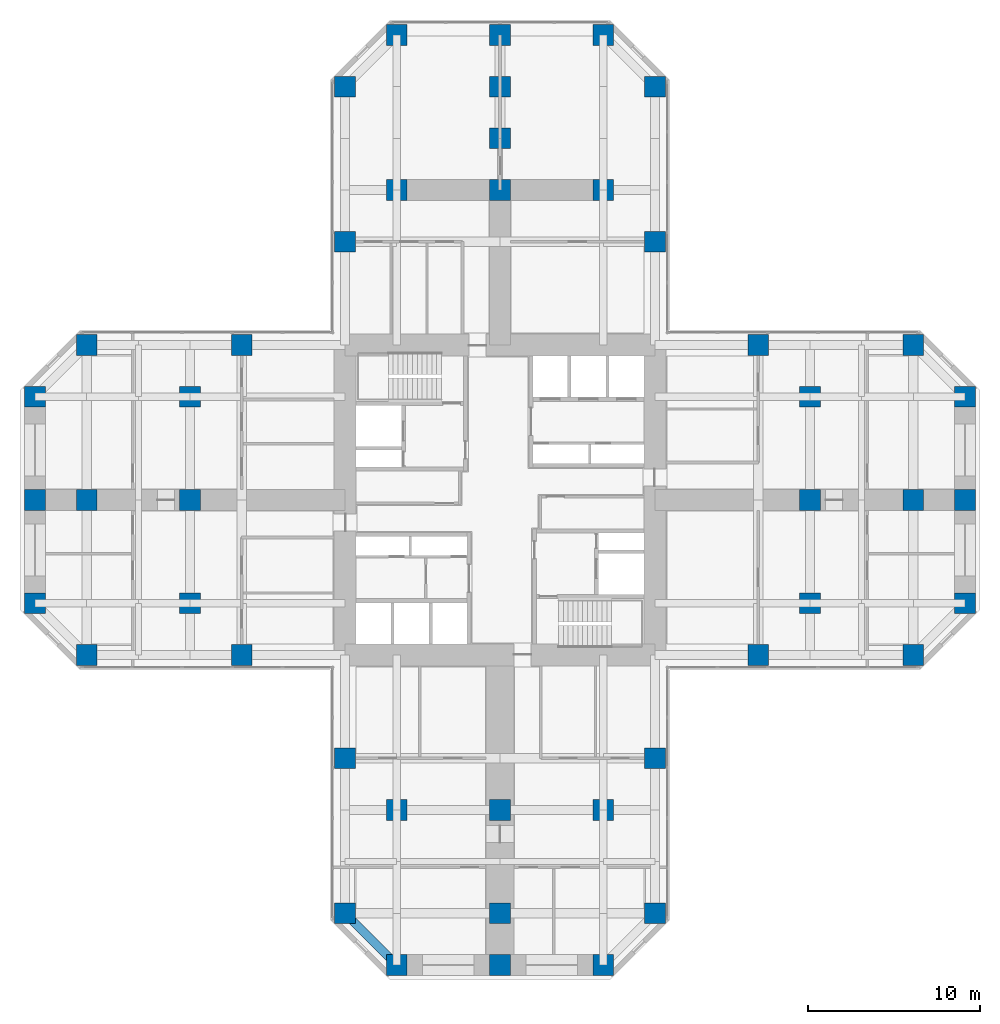
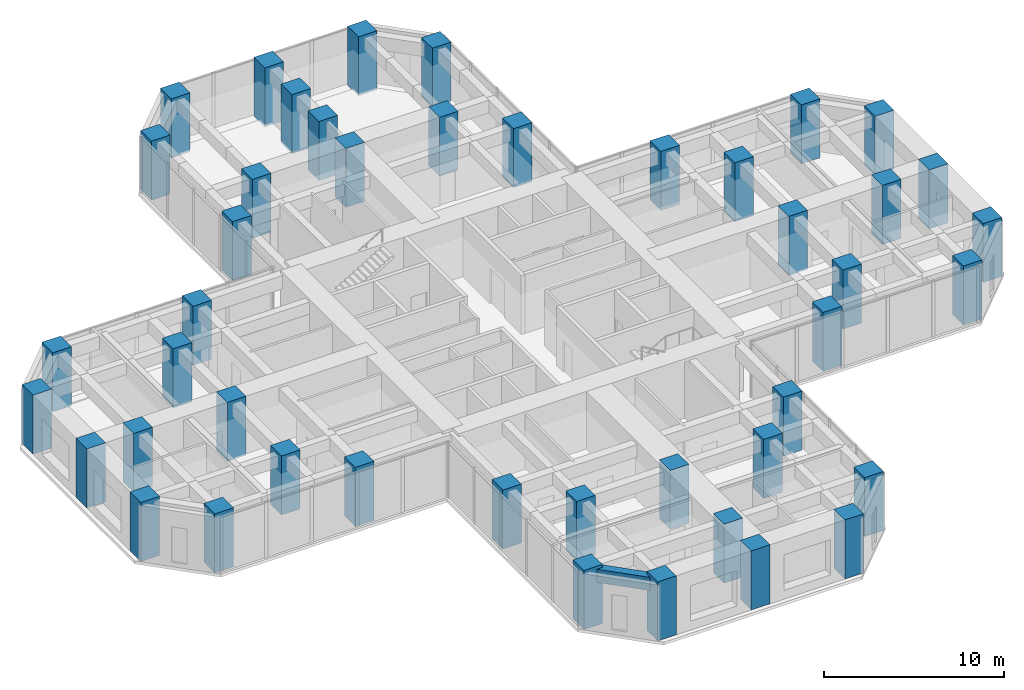
# One storey, part 1 of 13: 45 columns, 1 beam.
"""IFC4 building model written with IfcOpenShell, lengths in metres."""

import ifcopenshell
import ifcopenshell.guid

model = None  # the IFC model being written
_history = None  # IfcOwnerHistory: only IFC2X3 demands one
_inside = {}  # id of a spatial element -> (the spatial element, [elements in it])
_under = {}  # id of a project, library or spatial element -> (it, [spatial elements below it])
_declared = {}  # id of a project -> (the project, [libraries it declares])
_typed = {}  # id of a type object -> (the type object, [elements of that type])
_made_of = {}  # id of a material, layer set ... -> (it, [elements and type objects made of it])


def new_model(schema):
    """Start an empty IFC model of exactly this schema.

    Asked for "IFC4X3", IfcOpenShell would pick the latest addendum, in which some entities
    have other attributes; the version numbers below select the first issue.
    IFC2X3 requires an IfcOwnerHistory on every rooted entity: one is made here for all.
    """
    global model, _history
    if schema == "IFC4X3":
        model = ifcopenshell.file(schema_version=(4, 3, 0, 0))
    else:
        model = ifcopenshell.file(schema=schema)
    _inside.clear()
    _under.clear()
    _declared.clear()
    _typed.clear()
    _made_of.clear()
    _history = None
    if model.schema == "IFC2X3":
        org = make("IfcOrganization", Name="unknown")
        user = make(
            "IfcPersonAndOrganization",
            ThePerson=make("IfcPerson", FamilyName="unknown"),
            TheOrganization=org,
        )
        app = make(
            "IfcApplication",
            ApplicationDeveloper=org,
            Version="unknown",
            ApplicationFullName="unknown",
            ApplicationIdentifier="unknown",
        )
        _history = make(
            "IfcOwnerHistory",
            OwningUser=user,
            OwningApplication=app,
            ChangeAction="ADDED",
            CreationDate=0,
        )
    return model


def make(cls, **values):
    """One entity of the class cls with the attributes given. An attribute that is None is left unset."""
    return model.create_entity(
        cls, **{name: value for name, value in values.items() if value is not None}
    )


def rooted(cls, **values):
    """An entity with a GlobalId (a new one), such as an element, a storey or a relation."""
    return make(cls, GlobalId=ifcopenshell.guid.new(), OwnerHistory=_history, **values)


def si_unit(unit_type, name, prefix=None):
    """IfcSIUnit, for example si_unit("LENGTHUNIT", "METRE", prefix="MILLI")."""
    return make("IfcSIUnit", UnitType=unit_type, Prefix=prefix, Name=name)


def assignment(units):
    """IfcUnitAssignment: the units of a project."""
    return None if units is None else make("IfcUnitAssignment", Units=units)


def point(xyz):
    """IfcCartesianPoint."""
    return None if xyz is None else make("IfcCartesianPoint", Coordinates=xyz)


def direction(xyz):
    """IfcDirection."""
    return None if xyz is None else make("IfcDirection", DirectionRatios=xyz)


def frame(location, z_axis=None, x_axis=None):
    """IfcAxis2Placement3D, a coordinate frame: its origin and axes. An axis left out is left unset."""
    return make(
        "IfcAxis2Placement3D",
        Location=point(location),
        Axis=direction(z_axis),
        RefDirection=direction(x_axis),
    )


def frame_2d(location, x_axis=None):
    """IfcAxis2Placement2D, a coordinate frame in the plane: its origin and x axis."""
    return make(
        "IfcAxis2Placement2D", Location=point(location), RefDirection=direction(x_axis)
    )


def origin():
    """The frame at (0, 0, 0) with its axes left unset."""
    return frame((0.0, 0.0, 0.0))


def origin_2d():
    """The frame at (0, 0) in the plane with its x axis left unset."""
    return frame_2d((0.0, 0.0))


def place(relative_to, where):
    """IfcLocalPlacement: puts the frame where relative to a parent placement (None: the world)."""
    return make(
        "IfcLocalPlacement", PlacementRelTo=relative_to, RelativePlacement=where
    )


def context(
    kind, dimensions, precision=None, world=None, true_north=None, identifier=None
):
    """IfcGeometricRepresentationContext, for example the 3D "Model" context."""
    return make(
        "IfcGeometricRepresentationContext",
        ContextIdentifier=identifier,
        ContextType=kind,
        CoordinateSpaceDimension=dimensions,
        Precision=precision,
        WorldCoordinateSystem=world,
        TrueNorth=true_north,
    )


def subcontext(parent, identifier, kind, view, scale=None):
    """IfcGeometricRepresentationSubContext, for example "Body" below "Model"."""
    return make(
        "IfcGeometricRepresentationSubContext",
        ContextIdentifier=identifier,
        ContextType=kind,
        ParentContext=parent,
        TargetScale=scale,
        TargetView=view,
    )


def project(units=None, contexts=None):
    """IfcProject with its units and contexts."""
    return rooted(
        "IfcProject",
        Name="project",
        RepresentationContexts=contexts,
        UnitsInContext=assignment(units),
    )


def spatial(cls, under=None, at=None, **own):
    """A site, building, storey or space (cls), placed at a placement, below another one or the project."""
    s = rooted(cls, ObjectPlacement=at, **own)
    if under is not None:
        _under.setdefault(under.id(), (under, []))[1].append(s)
    return s


def profile(cls, at=None, kind="AREA", **sizes):
    """A parametric profile (cls). Its sizes go by their IFC names, for example OverallWidth=200.0."""
    return make(cls, ProfileType=kind, Position=at, **sizes)


def rectangle(**sizes):
    """IfcRectangleProfileDef."""
    return profile("IfcRectangleProfileDef", **sizes)


def extrude(swept, where, along, depth):
    """IfcExtrudedAreaSolid: the profile swept, set in the frame where, extruded along a direction by depth."""
    return make(
        "IfcExtrudedAreaSolid",
        SweptArea=swept,
        Position=where,
        ExtrudedDirection=direction(along),
        Depth=depth,
    )


def shape(context_of_items, identifier, shape_type, items):
    """IfcShapeRepresentation: the items that make up one representation, for example the "Body"."""
    return make(
        "IfcShapeRepresentation",
        ContextOfItems=context_of_items,
        RepresentationIdentifier=identifier,
        RepresentationType=shape_type,
        Items=items,
    )


def material(Name=None, Category=None):
    """IfcMaterial."""
    return make("IfcMaterial", Name=Name, Category=Category)


def material_profile(
    of_material, cross_section, Name=None, Category=None, Priority=None
):
    """IfcMaterialProfile: a cross section and its material."""
    return make(
        "IfcMaterialProfile",
        Name=Name,
        Material=of_material,
        Profile=cross_section,
        Priority=Priority,
        Category=Category,
    )


def profile_set(profiles, Name=None, composite=None):
    """IfcMaterialProfileSet."""
    return make(
        "IfcMaterialProfileSet",
        Name=Name,
        MaterialProfiles=profiles,
        CompositeProfile=composite,
    )


def made_of(thing, what):
    """Note that an element or type object is made of a material, layer set ...; save() writes the relation."""
    if what is not None:
        _made_of.setdefault(what.id(), (what, []))[1].append(thing)
    return thing


def type_object(cls, material=None, **own):
    """A type object (cls), such as IfcWallType, which elements share."""
    return made_of(rooted(cls, **own), material)


def element(
    cls,
    number,
    at=None,
    inside=None,
    cuts=None,
    type_object=None,
    material=None,
    context=None,
    identifier="Body",
    shape_type=None,
    held_by="IfcProductDefinitionShape",
    body=None,
    shapes=None,
    **own,
):
    """One element of the class cls, such as IfcWall. Its Tag is "e" and its number.

    at: its placement. inside: the storey or other place that contains it. cuts: it is an
    opening in that element (IfcRelVoidsElement). A single representation is given by context,
    identifier, shape_type and body (its items); several are given by shapes. held_by: the class
    of the entity that holds the representations. save() writes the other relations.
    """
    e = rooted(cls, Tag="e%d" % number, ObjectPlacement=at, **own)
    if body is not None:
        shapes = [shape(context, identifier, shape_type, body)]
    if shapes is not None:
        e.Representation = make(held_by, Representations=shapes)
    if inside is not None:
        _inside.setdefault(inside.id(), (inside, []))[1].append(e)
    if cuts is not None:
        rooted(
            "IfcRelVoidsElement", RelatingBuildingElement=cuts, RelatedOpeningElement=e
        )
    if type_object is not None:
        _typed.setdefault(type_object.id(), (type_object, []))[1].append(e)
    return made_of(e, material)


def aggregate(whole, parts):
    """IfcRelAggregates: a whole, such as a stair, and the parts it consists of."""
    return rooted("IfcRelAggregates", RelatingObject=whole, RelatedObjects=parts)


def save(model, path):
    """Write the relations noted so far, then the file.

    IfcRelAggregates (storeys below a building ...), IfcRelContainedInSpatialStructure (elements
    in a storey), IfcRelDefinesByType, IfcRelAssociatesMaterial and IfcRelDeclares: one each for
    every whole, place, type object, material and project.
    """
    for whole, parts in _under.values():
        aggregate(whole, parts)
    for where, things in _inside.values():
        rooted(
            "IfcRelContainedInSpatialStructure",
            RelatedElements=things,
            RelatingStructure=where,
        )
    for kind, things in _typed.values():
        rooted("IfcRelDefinesByType", RelatedObjects=things, RelatingType=kind)
    for what, things in _made_of.values():
        rooted("IfcRelAssociatesMaterial", RelatedObjects=things, RelatingMaterial=what)
    for by, libraries in _declared.values():
        rooted("IfcRelDeclares", RelatingContext=by, RelatedDefinitions=libraries)
    model.write(path)


model = new_model("IFC4")

# Units and contexts
model_context = context("Model", 3, precision=1e-05, world=origin(), true_north=direction((0.0, 1.0)))
body_context = subcontext(model_context, "Body", "Model", "MODEL_VIEW")
ifc_project = project(units=[si_unit("LENGTHUNIT", "METRE"), si_unit("AREAUNIT", "SQUARE_METRE"), si_unit("VOLUMEUNIT", "CUBIC_METRE"), si_unit("PLANEANGLEUNIT", "RADIAN"), si_unit("MASSUNIT", "GRAM", prefix="KILO")], contexts=[model_context])

# Site, building, storey
site_placement = place(None, origin())
site = spatial("IfcSite", under=ifc_project, at=site_placement, CompositionType="ELEMENT")
building_placement = place(site_placement, origin())
building = spatial("IfcBuilding", under=site, at=building_placement, Name="Torre Cruceta", CompositionType="ELEMENT")
storey_placement = place(building_placement, frame((0.0, 0.0, 47.5)))
storey = spatial("IfcBuildingStorey", under=building, at=storey_placement, Name="L11", CompositionType="ELEMENT", Elevation=47.5)

# Columns
ifc_material_1 = material(Name="Concrete G60 (fck 60 MPa)", Category="concrete")
ifc_material_profile_1 = material_profile(ifc_material_1, rectangle(XDim=1.199951171875, YDim=1.199951171875, at=origin_2d()), Name="RC 1200X1200")
ifc_profile_set_1 = profile_set([ifc_material_profile_1], Name="Concrete G60 (fck 60 MPa)")
column_type = type_object("IfcColumnType", Name="COLUMN RC 1200X1200", PredefinedType="COLUMN", material=ifc_profile_set_1)
for number, where, z_axis, x_axis, name in (
    (1, (9.0, 15.0, 0.0), (0.0, 0.0, 1.0), (1.0, 0.0, 0.0), "C3 L11 N side"),
    (2, (9.0, 24.0, 0.0), (0.0, 0.0, 1.0), (1.0, 0.0, 0.0), "C3 L11 N chamfer"),
    (3, (-9.0, 15.0, 0.0), (0.0, 0.0, 1.0), (1.0, 0.0, 0.0), "C3 L11 N side"),
    (4, (-9.0, 24.0, 0.0), (0.0, 0.0, 1.0), (1.0, 0.0, 0.0), "C3 L11 N chamfer"),
    (5, (6.0, 27.0, 0.0), (0.0, 0.0, 1.0), (1.0, 0.0, 0.0), "C3 L11 N tip"),
    (6, (0.0, 27.0, 0.0), (0.0, 0.0, 1.0), (1.0, 0.0, 0.0), "C3 L11 N tip"),
    (7, (-6.0, 27.0, 0.0), (0.0, 0.0, 1.0), (1.0, 0.0, 0.0), "C3 L11 N tip"),
    (8, (15.0, -9.0, 0.0), (0.0, 0.0, 1.0), (1.0, 0.0, 0.0), "C3 L11 E side"),
    (9, (24.0, -9.0, 0.0), (0.0, 0.0, 1.0), (1.0, 0.0, 0.0), "C3 L11 E chamfer"),
    (10, (15.0, 9.0, 0.0), (0.0, 0.0, 1.0), (1.0, 0.0, 0.0), "C3 L11 E side"),
    (11, (24.0, 9.0, 0.0), (0.0, 0.0, 1.0), (1.0, 0.0, 0.0), "C3 L11 E chamfer"),
    (12, (27.0, -6.0, 0.0), (0.0, 0.0, 1.0), (1.0, 0.0, 0.0), "C3 L11 E tip"),
    (13, (27.0, 0.0, 0.0), (0.0, 0.0, 1.0), (1.0, 0.0, 0.0), "C3 L11 E tip"),
    (14, (27.0, 6.0, 0.0), (0.0, 0.0, 1.0), (1.0, 0.0, 0.0), "C3 L11 E tip"),
    (15, (-9.0, -15.0, 0.0), (0.0, 0.0, 1.0), (1.0, 0.0, 0.0), "C3 L11 S side"),
    (16, (-9.0, -24.0, 0.0), (0.0, 0.0, 1.0), (1.0, 0.0, 0.0), "C3 L11 S chamfer"),
    (17, (9.0, -15.0, 0.0), (0.0, 0.0, 1.0), (1.0, 0.0, 0.0), "C3 L11 S side"),
    (18, (9.0, -24.0, 0.0), (0.0, 0.0, 1.0), (1.0, 0.0, 0.0), "C3 L11 S chamfer"),
    (19, (-6.0, -27.0, 0.0), (0.0, 0.0, 1.0), (1.0, 0.0, 0.0), "C3 L11 S tip"),
    (20, (0.0, -27.0, 0.0), (0.0, 0.0, 1.0), (1.0, 0.0, 0.0), "C3 L11 S tip"),
    (21, (6.0, -27.0, 0.0), (0.0, 0.0, 1.0), (1.0, 0.0, 0.0), "C3 L11 S tip"),
    (22, (-15.0, 9.0, 0.0), (0.0, 0.0, 1.0), (1.0, 0.0, 0.0), "C3 L11 W side"),
    (23, (-24.0, 9.0, 0.0), (0.0, 0.0, 1.0), (1.0, 0.0, 0.0), "C3 L11 W chamfer"),
    (24, (-15.0, -9.0, 0.0), (0.0, 0.0, 1.0), (1.0, 0.0, 0.0), "C3 L11 W side"),
    (25, (-24.0, -9.0, 0.0), (0.0, 0.0, 1.0), (1.0, 0.0, 0.0), "C3 L11 W chamfer"),
    (26, (-27.0, 6.0, 0.0), (0.0, 0.0, 1.0), (1.0, 0.0, 0.0), "C3 L11 W tip"),
    (27, (-27.0, 0.0, 0.0), (0.0, 0.0, 1.0), (1.0, 0.0, 0.0), "C3 L11 W tip"),
    (28, (-27.0, -6.0, 0.0), (0.0, 0.0, 1.0), (1.0, 0.0, 0.0), "C3 L11 W tip"),
    (29, (6.0, 18.0, 0.0), (0.0, 0.0, 1.0), (1.0, 0.0, 0.0), "C3 L11 N interior"),
    (30, (0.0, 18.0, 0.0), (0.0, 0.0, 1.0), (1.0, 0.0, 0.0), "C3 L11 N interior"),
    (31, (-6.0, 18.0, 0.0), (0.0, 0.0, 1.0), (1.0, 0.0, 0.0), "C3 L11 N interior"),
    (32, (0.0, 21.0, 0.0), (0.0, 0.0, 1.0), (1.0, 0.0, 0.0), "C3 L11 N interior"),
    (33, (0.0, 24.0, 0.0), (0.0, 0.0, 1.0), (1.0, 0.0, 0.0), "C3 L11 N interior"),
    (34, (18.0, -6.0, 0.0), (0.0, 0.0, 1.0), (1.0, 0.0, 0.0), "C3 L11 E interior"),
    (35, (18.0, 0.0, 0.0), (0.0, 0.0, 1.0), (1.0, 0.0, 0.0), "C3 L11 E interior"),
    (36, (18.0, 6.0, 0.0), (0.0, 0.0, 1.0), (1.0, 0.0, 0.0), "C3 L11 E interior"),
    (37, (24.0, 0.0, 0.0), (0.0, 0.0, 1.0), (1.0, 0.0, 0.0), "C3 L11 E interior"),
    (38, (-6.0, -18.0, 0.0), (0.0, 0.0, 1.0), (1.0, 0.0, 0.0), "C3 L11 S interior"),
    (39, (0.0, -18.0, 0.0), (0.0, 0.0, 1.0), (1.0, 0.0, 0.0), "C3 L11 S interior"),
    (40, (6.0, -18.0, 0.0), (0.0, 0.0, 1.0), (1.0, 0.0, 0.0), "C3 L11 S interior"),
    (41, (0.0, -24.0, 0.0), (0.0, 0.0, 1.0), (1.0, 0.0, 0.0), "C3 L11 S interior"),
    (42, (-18.0, 6.0, 0.0), (0.0, 0.0, 1.0), (1.0, 0.0, 0.0), "C3 L11 W interior"),
    (43, (-18.0, 0.0, 0.0), (0.0, 0.0, 1.0), (1.0, 0.0, 0.0), "C3 L11 W interior"),
    (44, (-18.0, -6.0, 0.0), (0.0, 0.0, 1.0), (1.0, 0.0, 0.0), "C3 L11 W interior"),
    (45, (-24.0, 0.0, 0.0), (0.0, 0.0, 1.0), (1.0, 0.0, 0.0), "C3 L11 W interior"),
):
    element("IfcColumn", number, at=place(storey_placement, frame(where, z_axis=z_axis, x_axis=x_axis)), inside=storey, type_object=column_type, Name=name, PredefinedType="COLUMN", context=body_context, shape_type="SweptSolid", body=[
        extrude(rectangle(XDim=1.199951171875, YDim=1.199951171875, at=origin_2d()), origin(), (0.0, 0.0, 1.0), 4.0),
    ])

# Beam
ifc_material_2 = material(Name="Concrete G60 (fck 60 MPa)", Category="concrete")
ifc_material_profile_2 = material_profile(ifc_material_2, rectangle(XDim=0.5, YDim=0.89990234375, at=origin_2d()), Name="RC 500X900")
ifc_profile_set_2 = profile_set([ifc_material_profile_2], Name="Concrete G60 (fck 60 MPa)")
beam_type = type_object("IfcBeamType", Name="SPANDREL BEAM RC 500X900", PredefinedType="SPANDREL", material=ifc_profile_set_2)
beam_placement = place(storey_placement, frame((-9.0, -24.0, 3.35009765625), z_axis=(0.707106781187, -0.707106781187, 0.0), x_axis=(0.707106781187, 0.707106781187, 0.0)))
element("IfcBeam", 46, at=beam_placement, inside=storey, type_object=beam_type, Name="SB4 L11 S side- 5", PredefinedType="SPANDREL", context=body_context, shape_type="SweptSolid", body=[
    extrude(rectangle(XDim=0.5, YDim=0.89990234375, at=origin_2d()), origin(), (0.0, 0.0, 1.0), 4.24267578125),
])

save(model, "model.ifc")
